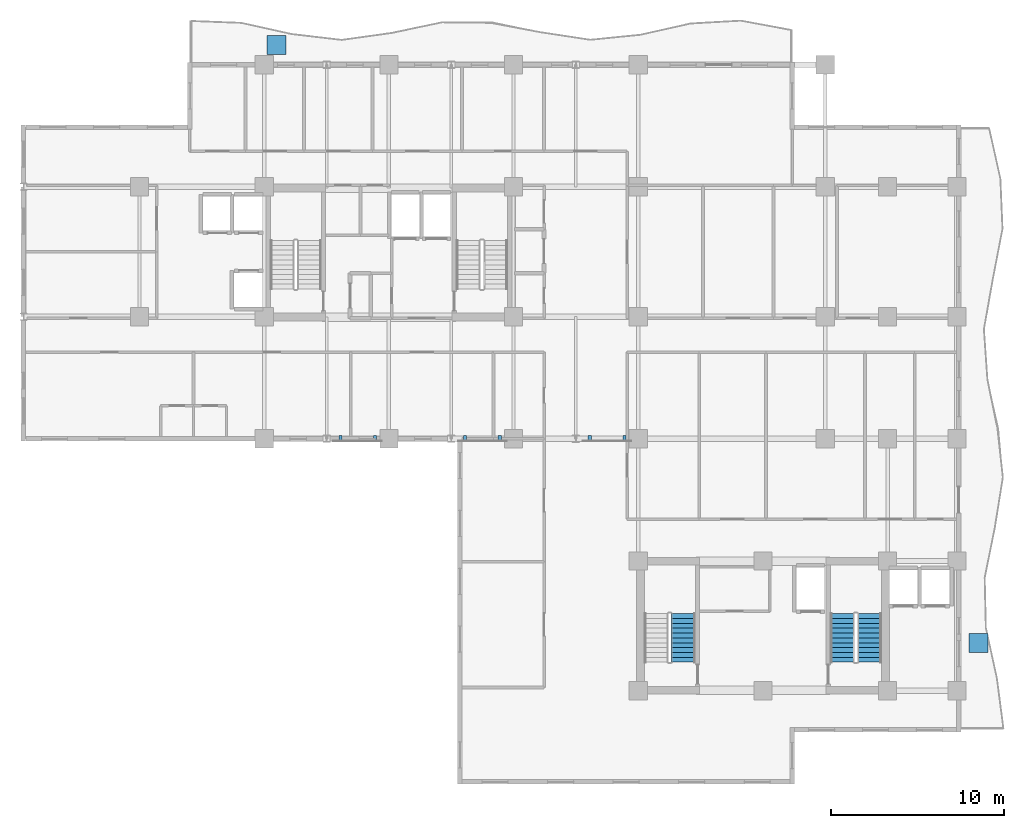
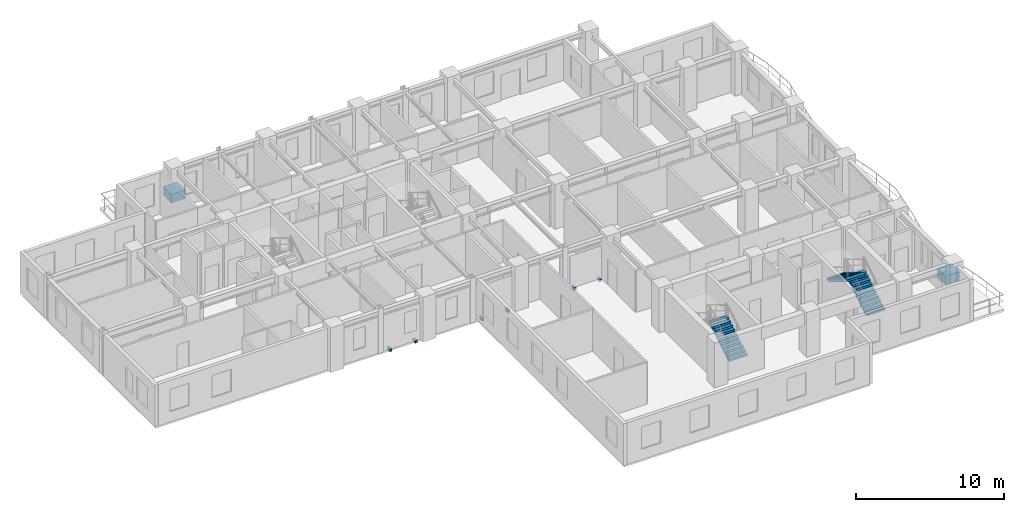
# One storey, part 10 of 13: 8 discrete accessories, 3 stair flights, 2 elements without a shape of their own.
"""IFC4 building model written with IfcOpenShell, lengths in metres."""

from ifc_helpers import new_model, si_unit, direction, frame, origin, origin_2d, place, context, subcontext, project, spatial, polyline, rectangle, outline, extrude, source, transform, mapped, material, type_object, element, aggregate, save


model = new_model("IFC4")

# Units and contexts
model_context = context("Model", 3, precision=1e-05, world=origin(), true_north=direction((0.0, 1.0)))
body_context = subcontext(model_context, "Body", "Model", "MODEL_VIEW")
ifc_project = project(units=[si_unit("LENGTHUNIT", "METRE"), si_unit("AREAUNIT", "SQUARE_METRE"), si_unit("VOLUMEUNIT", "CUBIC_METRE"), si_unit("PLANEANGLEUNIT", "RADIAN"), si_unit("MASSUNIT", "GRAM", prefix="KILO")], contexts=[model_context])

# Site, building, storey
site_placement = place(None, origin())
site = spatial("IfcSite", under=ifc_project, at=site_placement, CompositionType="ELEMENT")
building_placement = place(site_placement, origin())
building = spatial("IfcBuilding", under=site, at=building_placement, Name="Kaliganga Portal Commons", CompositionType="ELEMENT")
storey_placement = place(building_placement, frame((0.0, 0.0, 173.5)))
storey = spatial("IfcBuildingStorey", under=building, at=storey_placement, Name="L44", CompositionType="ELEMENT", Elevation=173.5)

# Stair, stair flight
ifc_material_1 = material(Name="Concrete C40/50", Category="concrete")
stair_type = type_object("IfcStairType", Name="ST-CORE-DOGLEG", PredefinedType="HALF_TURN_STAIR", material=ifc_material_1)
stair_1_placement = place(storey_placement, origin())
stair_1 = element("IfcStair", 1, at=stair_1_placement, inside=storey, type_object=stair_type, Name="L44 Protected Exit Stair ST-B1", PredefinedType="HALF_TURN_STAIR")
stair_flight_type = type_object("IfcStairFlightType", Name="STF-RC-1400", PredefinedType="STRAIGHT", material=ifc_material_1)
stair_flight_1_placement = place(storey_placement, frame((38.60009765625, 8.699951171875, 0.0), z_axis=(0.0, 0.0, 1.0), x_axis=(0.0, 1.0, 0.0)))
stair_flight_1 = element("IfcStairFlight", 2, at=stair_flight_1_placement, type_object=stair_flight_type, Name="ST-B1 flight 1", NumberOfRisers=11, NumberOfTreads=10, PredefinedType="STRAIGHT", RiserHeight=0.168181818, TreadLength=0.28, context=body_context, shape_type="SweptSolid", body=[
    extrude(outline(polyline([(0.0, 0.0), (0.0, 0.168212890625), (0.280029296875, 0.168212890625), (0.280029296875, 0.33642578125), (0.56005859375, 0.33642578125), (0.56005859375, 0.504638671875), (0.840087890625, 0.504638671875), (0.840087890625, 0.672607421875), (1.1201171875, 0.672607421875), (1.1201171875, 0.8408203125), (1.39990234375, 0.8408203125), (1.39990234375, 1.009033203125), (1.679931640625, 1.009033203125), (1.679931640625, 1.17724609375), (1.9599609375, 1.17724609375), (1.9599609375, 1.345458984375), (2.239990234375, 1.345458984375), (2.239990234375, 1.513671875), (2.52001953125, 1.513671875), (2.52001953125, 1.681884765625), (2.800048828125, 1.681884765625), (2.800048828125, 1.85009765625), (2.800048828125, 1.5068359375), (0.291015625, 0.0), (0.0, 0.0)])), frame((0.0, 0.699951171875, 0.0), z_axis=(0.0, -1.0, 0.0), x_axis=(1.0, 0.0, 0.0)), (0.0, 0.0, 1.0), 1.39990234375),
])
aggregate(stair_1, [stair_flight_1])

# Stair, stair flights
stair_2_placement = place(storey_placement, origin())
stair_2 = element("IfcStair", 3, at=stair_2_placement, inside=storey, type_object=stair_type, Name="L44 Protected Exit Stair ST-B2", PredefinedType="HALF_TURN_STAIR")
stair_flight_2_placement = place(storey_placement, frame((49.35009765625, 8.699951171875, 0.0), z_axis=(0.0, 0.0, 1.0), x_axis=(0.0, 1.0, 0.0)))
stair_flight_2 = element("IfcStairFlight", 4, at=stair_flight_2_placement, type_object=stair_flight_type, Name="ST-B2 flight 1", NumberOfRisers=11, NumberOfTreads=10, PredefinedType="STRAIGHT", RiserHeight=0.168181818, TreadLength=0.28, context=body_context, shape_type="SweptSolid", body=[
    extrude(outline(polyline([(0.0, 0.0), (0.0, 0.168212890625), (0.280029296875, 0.168212890625), (0.280029296875, 0.33642578125), (0.56005859375, 0.33642578125), (0.56005859375, 0.504638671875), (0.840087890625, 0.504638671875), (0.840087890625, 0.672607421875), (1.1201171875, 0.672607421875), (1.1201171875, 0.8408203125), (1.39990234375, 0.8408203125), (1.39990234375, 1.009033203125), (1.679931640625, 1.009033203125), (1.679931640625, 1.17724609375), (1.9599609375, 1.17724609375), (1.9599609375, 1.345458984375), (2.239990234375, 1.345458984375), (2.239990234375, 1.513671875), (2.52001953125, 1.513671875), (2.52001953125, 1.681884765625), (2.800048828125, 1.681884765625), (2.800048828125, 1.85009765625), (2.800048828125, 1.5068359375), (0.291015625, 0.0), (0.0, 0.0)])), frame((0.0, 0.699951171875, 0.0), z_axis=(0.0, -1.0, 0.0), x_axis=(1.0, 0.0, 0.0)), (0.0, 0.0, 1.0), 1.39990234375),
])
stair_flight_3_placement = place(storey_placement, frame((47.800048828125, 11.5, 1.85009765625), z_axis=(0.0, 0.0, 1.0), x_axis=(0.0, -1.0, 0.0)))
stair_flight_3 = element("IfcStairFlight", 5, at=stair_flight_3_placement, type_object=stair_flight_type, Name="ST-B2 flight 2", NumberOfRisers=11, NumberOfTreads=10, PredefinedType="STRAIGHT", RiserHeight=0.168181818, TreadLength=0.28, context=body_context, shape_type="SweptSolid", body=[
    extrude(outline(polyline([(0.0, 0.0), (0.0, 0.168212890625), (0.280029296875, 0.168212890625), (0.280029296875, 0.33642578125), (0.56005859375, 0.33642578125), (0.56005859375, 0.504638671875), (0.840087890625, 0.504638671875), (0.840087890625, 0.672607421875), (1.1201171875, 0.672607421875), (1.1201171875, 0.8408203125), (1.39990234375, 0.8408203125), (1.39990234375, 1.009033203125), (1.679931640625, 1.009033203125), (1.679931640625, 1.17724609375), (1.9599609375, 1.17724609375), (1.9599609375, 1.345458984375), (2.239990234375, 1.345458984375), (2.239990234375, 1.513671875), (2.52001953125, 1.513671875), (2.52001953125, 1.681884765625), (2.800048828125, 1.681884765625), (2.800048828125, 1.85009765625), (2.800048828125, 1.5068359375), (0.291015625, 0.0), (0.0, 0.0)])), frame((0.0, 0.699951171875, 0.0), z_axis=(0.0, -1.0, 0.0), x_axis=(1.0, 0.0, 0.0)), (0.0, 0.0, 1.0), 1.39990234375),
])
aggregate(stair_2, [stair_flight_2, stair_flight_3])

# Discrete accessories
ifc_material_2 = material(Name="Precast concrete C40/50", Category="concrete")
discrete_accessory_type_1 = type_object("IfcDiscreteAccessoryType", Name="DAC-PLANTER-RC", PredefinedType="USERDEFINED", material=ifc_material_2)
shared_shape_1 = source(origin(), body_context, "Body", "SweptSolid", [
    extrude(rectangle(XDim=1.10009765625, YDim=1.10009765625, at=origin_2d()), origin(), (0.0, 0.0, 1.0), 0.719970703125),
])
for number, where, z_axis, x_axis, name in (
    (6, (15.10009765625, 44.35009765625, 0.0), (0.0, 0.0, 1.0), (1.0, 0.0, 0.0), "Structural Tree Planter L44 balc_north"),
    (7, (55.64990234375, 9.800048828125, 0.0), (0.0, 0.0, 1.0), (1.0, 0.0, 0.0), "Structural Tree Planter L44 balc_east"),
):
    element("IfcDiscreteAccessory", number, at=place(storey_placement, frame(where, z_axis=z_axis, x_axis=x_axis)), inside=storey, type_object=discrete_accessory_type_1, Name=name, ObjectType="PLANTER", PredefinedType="USERDEFINED", context=body_context, shape_type="MappedRepresentation", body=[
        mapped(shared_shape_1, transform((0.0, 0.0, 0.0), x_axis=(1.0, 0.0, 0.0), y_axis=(0.0, 1.0, 0.0), z_axis=(0.0, 0.0, 1.0), scale=1.0)),
    ])
ifc_material_3 = material(Name="Structural steel S355J2", Category="steel")
discrete_accessory_type_2 = type_object("IfcDiscreteAccessoryType", Name="DAC-BRK-SCR", PredefinedType="BRACKET", material=ifc_material_3)
shared_shape_2 = source(origin(), body_context, "Body", "SweptSolid", [
    extrude(rectangle(XDim=0.179931640625, YDim=0.360107421875, at=origin_2d()), origin(), (0.0, 0.0, 1.0), 0.219970703125),
])
for number, where, z_axis, x_axis, name in (
    (8, (18.800048828125, 21.6201171875, -0.18994140625), (0.0, 0.0, 1.0), (1.0, 0.0, 0.0), "Solar Screen Outrigger Bracket L44-S1-1"),
    (9, (20.800048828125, 21.6201171875, -0.18994140625), (0.0, 0.0, 1.0), (1.0, 0.0, 0.0), "Solar Screen Outrigger Bracket L44-S1-2"),
    (10, (26.0, 21.6201171875, -0.18994140625), (0.0, 0.0, 1.0), (1.0, 0.0, 0.0), "Solar Screen Outrigger Bracket L44-S2-1"),
    (11, (28.0, 21.6201171875, -0.18994140625), (0.0, 0.0, 1.0), (1.0, 0.0, 0.0), "Solar Screen Outrigger Bracket L44-S2-2"),
    (12, (33.199951171875, 21.6201171875, -0.18994140625), (0.0, 0.0, 1.0), (1.0, 0.0, 0.0), "Solar Screen Outrigger Bracket L44-S3-1"),
    (13, (35.199951171875, 21.6201171875, -0.18994140625), (0.0, 0.0, 1.0), (1.0, 0.0, 0.0), "Solar Screen Outrigger Bracket L44-S3-2"),
):
    element("IfcDiscreteAccessory", number, at=place(storey_placement, frame(where, z_axis=z_axis, x_axis=x_axis)), inside=storey, type_object=discrete_accessory_type_2, Name=name, PredefinedType="BRACKET", context=body_context, shape_type="MappedRepresentation", body=[
        mapped(shared_shape_2, transform((0.0, 0.0, 0.0), x_axis=(1.0, 0.0, 0.0), y_axis=(0.0, 1.0, 0.0), z_axis=(0.0, 0.0, 1.0), scale=1.0)),
    ])

save(model, "model.ifc")
